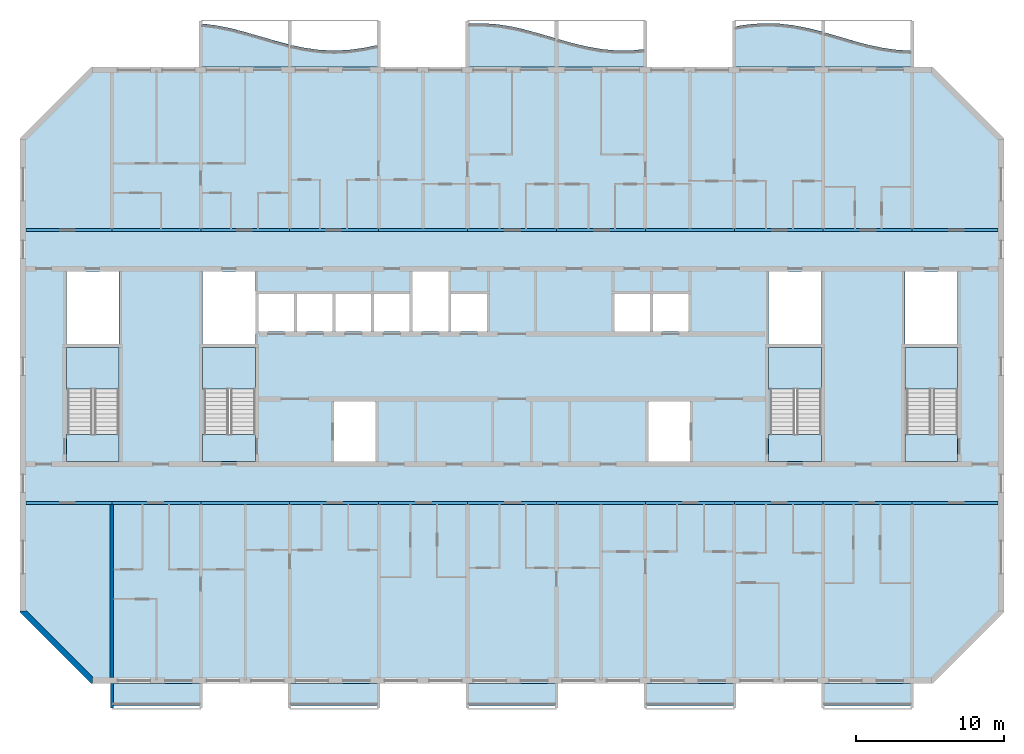
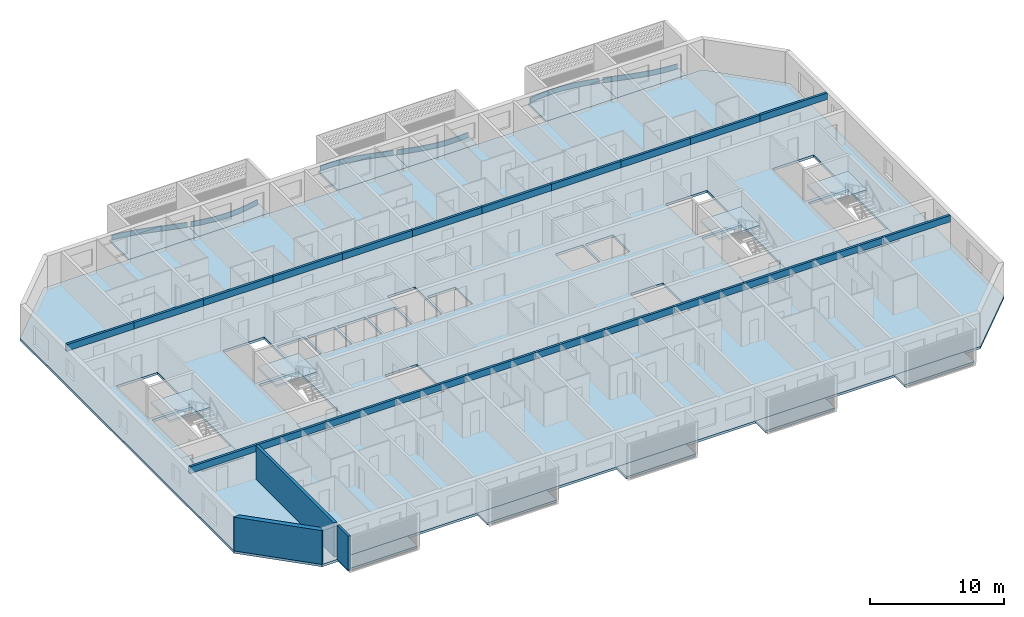
# One storey, part 1 of 27: 22 beams, 20 slabs, 6 plates, 3 walls, 4 elements without a shape of their own.
"""IFC4 building model written with IfcOpenShell, lengths in metres."""

from ifc_helpers import new_model, si_unit, direction, frame, frame_2d, origin, origin_2d, place, context, subcontext, project, spatial, polyline, rectangle, outline, extrude, source, transform, mapped, material, layer, layer_set, material_profile, profile_set, type_object, element, aggregate, save


model = new_model("IFC4")

# Units and contexts
model_context = context("Model", 3, precision=1e-05, world=origin(), true_north=direction((0.0, 1.0)))
body_context = subcontext(model_context, "Body", "Model", "MODEL_VIEW")
ifc_project = project(units=[si_unit("LENGTHUNIT", "METRE"), si_unit("AREAUNIT", "SQUARE_METRE"), si_unit("VOLUMEUNIT", "CUBIC_METRE"), si_unit("PLANEANGLEUNIT", "RADIAN"), si_unit("MASSUNIT", "GRAM", prefix="KILO")], contexts=[model_context])

# Site, building, storey
site_placement = place(None, origin())
site = spatial("IfcSite", under=ifc_project, at=site_placement, CompositionType="ELEMENT")
building_placement = place(site_placement, origin())
building = spatial("IfcBuilding", under=site, at=building_placement, Name="Poui Terraces", CompositionType="ELEMENT")
storey_placement = place(building_placement, frame((0.0, 0.0, 251.10009765625)))
storey = spatial("IfcBuildingStorey", under=building, at=storey_placement, Name="L70", CompositionType="ELEMENT", Elevation=251.10009765625)

# Beams
ifc_material_1 = material(Name="Concrete 50 MPa", Category="concrete")
ifc_material_profile = material_profile(ifc_material_1, rectangle(XDim=0.199951171875, YDim=0.60009765625, at=origin_2d()), Name="RC 200x600")
ifc_profile_set = profile_set([ifc_material_profile], Name="Concrete 50 MPa")
beam_type = type_object("IfcBeamType", Name="COUPLING BEAM 200x600 50MPa", PredefinedType="BEAM", material=ifc_profile_set)
shared_shape_1 = source(origin(), body_context, "Body", "SweptSolid", [
    extrude(rectangle(XDim=0.199951171875, YDim=0.60009765625, at=origin_2d()), origin(), (0.0, 0.0, 1.0), 5.800048828125),
])
for number, where, z_axis, x_axis, name in (
    (1, (18.199951171875, 12.0, 2.77978515625), (1.0, 0.0, 0.0), (0.0, 1.0, 0.0), "COUPLING BEAM LINE B BAY 1"),
    (2, (78.0, 12.0, 2.77978515625), (1.0, 0.0, 0.0), (0.0, 1.0, 0.0), "COUPLING BEAM LINE B BAY 11"),
    (3, (18.199951171875, 30.39990234375, 2.77978515625), (1.0, 0.0, 0.0), (0.0, 1.0, 0.0), "COUPLING BEAM LINE E BAY 1"),
    (4, (78.0, 30.39990234375, 2.77978515625), (1.0, 0.0, 0.0), (0.0, 1.0, 0.0), "COUPLING BEAM LINE E BAY 11"),
):
    element("IfcBeam", number, at=place(storey_placement, frame(where, z_axis=z_axis, x_axis=x_axis)), inside=storey, type_object=beam_type, Name=name, PredefinedType="BEAM", context=body_context, shape_type="MappedRepresentation", body=[
        mapped(shared_shape_1, transform((0.0, 0.0, 0.0))),
    ])
shared_shape_2 = source(origin(), body_context, "Body", "SweptSolid", [
    extrude(rectangle(XDim=0.199951171875, YDim=0.60009765625, at=origin_2d()), origin(), (0.0, 0.0, 1.0), 6.0),
])
for number, where, z_axis, x_axis, name in (
    (5, (24.0, 12.0, 2.77978515625), (1.0, 0.0, 0.0), (0.0, 1.0, 0.0), "COUPLING BEAM LINE B BAY 2"),
    (6, (30.0, 12.0, 2.77978515625), (1.0, 0.0, 0.0), (0.0, 1.0, 0.0), "COUPLING BEAM LINE B BAY 3"),
    (7, (36.0, 12.0, 2.77978515625), (1.0, 0.0, 0.0), (0.0, 1.0, 0.0), "COUPLING BEAM LINE B BAY 4"),
    (8, (42.0, 12.0, 2.77978515625), (1.0, 0.0, 0.0), (0.0, 1.0, 0.0), "COUPLING BEAM LINE B BAY 5"),
    (9, (48.0, 12.0, 2.77978515625), (1.0, 0.0, 0.0), (0.0, 1.0, 0.0), "COUPLING BEAM LINE B BAY 6"),
    (10, (54.0, 12.0, 2.77978515625), (1.0, 0.0, 0.0), (0.0, 1.0, 0.0), "COUPLING BEAM LINE B BAY 7"),
    (11, (60.0, 12.0, 2.77978515625), (1.0, 0.0, 0.0), (0.0, 1.0, 0.0), "COUPLING BEAM LINE B BAY 8"),
    (12, (66.0, 12.0, 2.77978515625), (1.0, 0.0, 0.0), (0.0, 1.0, 0.0), "COUPLING BEAM LINE B BAY 9"),
    (13, (72.0, 12.0, 2.77978515625), (1.0, 0.0, 0.0), (0.0, 1.0, 0.0), "COUPLING BEAM LINE B BAY 10"),
    (14, (24.0, 30.39990234375, 2.77978515625), (1.0, 0.0, 0.0), (0.0, 1.0, 0.0), "COUPLING BEAM LINE E BAY 2"),
    (15, (30.0, 30.39990234375, 2.77978515625), (1.0, 0.0, 0.0), (0.0, 1.0, 0.0), "COUPLING BEAM LINE E BAY 3"),
    (16, (36.0, 30.39990234375, 2.77978515625), (1.0, 0.0, 0.0), (0.0, 1.0, 0.0), "COUPLING BEAM LINE E BAY 4"),
    (17, (42.0, 30.39990234375, 2.77978515625), (1.0, 0.0, 0.0), (0.0, 1.0, 0.0), "COUPLING BEAM LINE E BAY 5"),
    (18, (48.0, 30.39990234375, 2.77978515625), (1.0, 0.0, 0.0), (0.0, 1.0, 0.0), "COUPLING BEAM LINE E BAY 6"),
    (19, (54.0, 30.39990234375, 2.77978515625), (1.0, 0.0, 0.0), (0.0, 1.0, 0.0), "COUPLING BEAM LINE E BAY 7"),
    (20, (60.0, 30.39990234375, 2.77978515625), (1.0, 0.0, 0.0), (0.0, 1.0, 0.0), "COUPLING BEAM LINE E BAY 8"),
    (21, (66.0, 30.39990234375, 2.77978515625), (1.0, 0.0, 0.0), (0.0, 1.0, 0.0), "COUPLING BEAM LINE E BAY 9"),
    (22, (72.0, 30.39990234375, 2.77978515625), (1.0, 0.0, 0.0), (0.0, 1.0, 0.0), "COUPLING BEAM LINE E BAY 10"),
):
    element("IfcBeam", number, at=place(storey_placement, frame(where, z_axis=z_axis, x_axis=x_axis)), inside=storey, type_object=beam_type, Name=name, PredefinedType="BEAM", context=body_context, shape_type="MappedRepresentation", body=[
        mapped(shared_shape_2, transform((0.0, 0.0, 0.0))),
    ])

# Slabs
ifc_material_2 = material(Name="Precast concrete 40 MPa", Category="concrete")
ifc_layer_1 = layer(ifc_material_2, 0.199951171875)
ifc_layer_set_1 = layer_set([ifc_layer_1], Name="Precast concrete 40 MPa")
slab_type_1 = type_object("IfcSlabType", Name="BALCONY SLAB 200", PredefinedType="FLOOR", material=ifc_layer_set_1)
slab_1_placement = place(storey_placement, frame((0.0, 0.0, -0.2001953125)))
element("IfcSlab", 23, at=slab_1_placement, inside=storey, type_object=slab_type_1, Name="BALCONY SLAB", PredefinedType="FLOOR", context=body_context, shape_type="SweptSolid", body=[
    extrude(outline(polyline([(30.0, 41.39990234375), (36.0, 41.39990234375), (36.0, 42.8994140625), (35.0, 43.16748046875), (34.0, 43.462158203125), (33.0, 43.7529296875), (32.0, 44.010009765625), (31.0, 44.206787109375), (30.0, 44.322998046875), (30.0, 41.39990234375)])), origin(), (0.0, 0.0, 1.0), 0.2001953125),
])
slab_2_placement = place(storey_placement, frame((0.0, 0.0, -0.2001953125)))
element("IfcSlab", 24, at=slab_2_placement, inside=storey, type_object=slab_type_1, Name="BALCONY SLAB", PredefinedType="FLOOR", context=body_context, shape_type="SweptSolid", body=[
    extrude(outline(polyline([(36.0, 41.39990234375), (42.0, 41.39990234375), (42.0, 42.8994140625), (41.0, 42.685546875), (40.0, 42.547607421875), (39.0, 42.5), (38.0, 42.547607421875), (37.0, 42.685546875), (36.0, 42.8994140625), (36.0, 41.39990234375)])), origin(), (0.0, 0.0, 1.0), 0.2001953125),
])
slab_3_placement = place(storey_placement, frame((0.0, 0.0, -0.2001953125)))
element("IfcSlab", 25, at=slab_3_placement, inside=storey, type_object=slab_type_1, Name="BALCONY SLAB", PredefinedType="FLOOR", context=body_context, shape_type="SweptSolid", body=[
    extrude(outline(polyline([(48.0, 41.39990234375), (54.0, 41.39990234375), (54.0, 43.3134765625), (53.0, 43.610107421875), (52.0, 43.887451171875), (51.0, 44.117431640625), (50.0, 44.27587890625), (49.0, 44.346923828125), (48.0, 44.322998046875), (48.0, 41.39990234375)])), origin(), (0.0, 0.0, 1.0), 0.2001953125),
])
slab_4_placement = place(storey_placement, frame((0.0, 0.0, -0.2001953125)))
element("IfcSlab", 26, at=slab_4_placement, inside=storey, type_object=slab_type_1, Name="BALCONY SLAB", PredefinedType="FLOOR", context=body_context, shape_type="SweptSolid", body=[
    extrude(outline(polyline([(54.0, 41.39990234375), (60.0, 41.39990234375), (60.0, 42.60595703125), (59.0, 42.511962890625), (58.0, 42.511962890625), (57.0, 42.60595703125), (56.0, 42.7841796875), (55.0, 43.028564453125), (54.0, 43.3134765625), (54.0, 41.39990234375)])), origin(), (0.0, 0.0, 1.0), 0.2001953125),
])
slab_5_placement = place(storey_placement, frame((0.0, 0.0, -0.2001953125)))
element("IfcSlab", 27, at=slab_5_placement, inside=storey, type_object=slab_type_1, Name="BALCONY SLAB", PredefinedType="FLOOR", context=body_context, shape_type="SweptSolid", body=[
    extrude(outline(polyline([(66.0, 41.39990234375), (72.0, 41.39990234375), (72.0, 43.7529296875), (71.0, 44.010009765625), (70.0, 44.206787109375), (69.0, 44.322998046875), (68.0, 44.346923828125), (67.0, 44.27587890625), (66.0, 44.117431640625), (66.0, 41.39990234375)])), origin(), (0.0, 0.0, 1.0), 0.2001953125),
])
slab_6_placement = place(storey_placement, frame((0.0, 0.0, -0.2001953125)))
element("IfcSlab", 28, at=slab_6_placement, inside=storey, type_object=slab_type_1, Name="BALCONY SLAB", PredefinedType="FLOOR", context=body_context, shape_type="SweptSolid", body=[
    extrude(outline(polyline([(72.0, 41.39990234375), (78.0, 41.39990234375), (78.0, 42.5), (77.0, 42.547607421875), (76.0, 42.685546875), (75.0, 42.8994140625), (74.0, 43.16748046875), (73.0, 43.462158203125), (72.0, 43.7529296875), (72.0, 41.39990234375)])), origin(), (0.0, 0.0, 1.0), 0.2001953125),
])

# Stair, slabs
stair_type = type_object("IfcStairType", Name="EXIT STAIR 1650 50 MPA", PredefinedType="HALF_TURN_STAIR", material=ifc_material_1)
stair_1_placement = place(storey_placement, origin())
stair_1 = element("IfcStair", 29, at=stair_1_placement, inside=storey, type_object=stair_type, Name="L70 CORE STAIR EAST", PredefinedType="HALF_TURN_STAIR")
ifc_layer_2 = layer(ifc_material_1, 0.199951171875)
ifc_layer_set_2 = layer_set([ifc_layer_2], Name="Concrete 50 MPa")
slab_type_2 = type_object("IfcSlabType", Name="STAIR LANDING 200 50 MPA", PredefinedType="LANDING", material=ifc_layer_set_2)
slab_7_placement = place(storey_placement, frame((0.0, 0.0, 1.44970703125)))
slab_7 = element("IfcSlab", 30, at=slab_7_placement, type_object=slab_type_2, Name="ST-CE landing 1", PredefinedType="LANDING", context=body_context, shape_type="SweptSolid", body=[
    extrude(outline(polyline([(68.324951171875, 19.679931640625), (71.875, 19.679931640625), (71.875, 22.47509765625), (68.324951171875, 22.47509765625), (68.324951171875, 19.679931640625)])), origin(), (0.0, 0.0, 1.0), 0.2001953125),
])
slab_8_placement = place(storey_placement, frame((0.0, 0.0, -0.2001953125)))
slab_8 = element("IfcSlab", 31, at=slab_8_placement, type_object=slab_type_2, Name="ST-CE landing 2", PredefinedType="LANDING", context=body_context, shape_type="SweptSolid", body=[
    extrude(outline(polyline([(68.324951171875, 14.77490234375), (71.875, 14.77490234375), (71.875, 16.60009765625), (68.324951171875, 16.60009765625), (68.324951171875, 14.77490234375)])), origin(), (0.0, 0.0, 1.0), 0.2001953125),
])
aggregate(stair_1, [slab_7, slab_8])

stair_2_placement = place(storey_placement, origin())
stair_2 = element("IfcStair", 32, at=stair_2_placement, inside=storey, type_object=stair_type, Name="L70 CORE STAIR WEST", PredefinedType="HALF_TURN_STAIR")
slab_9_placement = place(storey_placement, frame((0.0, 0.0, 1.44970703125)))
slab_9 = element("IfcSlab", 33, at=slab_9_placement, type_object=slab_type_2, Name="ST-CW landing 1", PredefinedType="LANDING", context=body_context, shape_type="SweptSolid", body=[
    extrude(outline(polyline([(30.125, 19.679931640625), (33.675048828125, 19.679931640625), (33.675048828125, 22.47509765625), (30.125, 22.47509765625), (30.125, 19.679931640625)])), origin(), (0.0, 0.0, 1.0), 0.2001953125),
])
slab_10_placement = place(storey_placement, frame((0.0, 0.0, -0.2001953125)))
slab_10 = element("IfcSlab", 34, at=slab_10_placement, type_object=slab_type_2, Name="ST-CW landing 2", PredefinedType="LANDING", context=body_context, shape_type="SweptSolid", body=[
    extrude(outline(polyline([(30.125, 14.77490234375), (33.675048828125, 14.77490234375), (33.675048828125, 16.60009765625), (30.125, 16.60009765625), (30.125, 14.77490234375)])), origin(), (0.0, 0.0, 1.0), 0.2001953125),
])
aggregate(stair_2, [slab_9, slab_10])

stair_3_placement = place(storey_placement, origin())
stair_3 = element("IfcStair", 35, at=stair_3_placement, inside=storey, type_object=stair_type, Name="L70 TIP STAIR EAST", PredefinedType="HALF_TURN_STAIR")
slab_11_placement = place(storey_placement, frame((0.0, 0.0, 1.44970703125)))
slab_11 = element("IfcSlab", 36, at=slab_11_placement, type_object=slab_type_2, Name="ST-E landing 1", PredefinedType="LANDING", context=body_context, shape_type="SweptSolid", body=[
    extrude(outline(polyline([(77.52490234375, 19.679931640625), (81.074951171875, 19.679931640625), (81.074951171875, 22.47509765625), (77.52490234375, 22.47509765625), (77.52490234375, 19.679931640625)])), origin(), (0.0, 0.0, 1.0), 0.2001953125),
])
slab_12_placement = place(storey_placement, frame((0.0, 0.0, -0.2001953125)))
slab_12 = element("IfcSlab", 37, at=slab_12_placement, type_object=slab_type_2, Name="ST-E landing 2", PredefinedType="LANDING", context=body_context, shape_type="SweptSolid", body=[
    extrude(outline(polyline([(77.52490234375, 14.77490234375), (81.074951171875, 14.77490234375), (81.074951171875, 16.60009765625), (77.52490234375, 16.60009765625), (77.52490234375, 14.77490234375)])), origin(), (0.0, 0.0, 1.0), 0.2001953125),
])
aggregate(stair_3, [slab_11, slab_12])

stair_4_placement = place(storey_placement, origin())
stair_4 = element("IfcStair", 38, at=stair_4_placement, inside=storey, type_object=stair_type, Name="L70 TIP STAIR WEST", PredefinedType="HALF_TURN_STAIR")
slab_13_placement = place(storey_placement, frame((0.0, 0.0, 1.44970703125)))
slab_13 = element("IfcSlab", 39, at=slab_13_placement, type_object=slab_type_2, Name="ST-W landing 1", PredefinedType="LANDING", context=body_context, shape_type="SweptSolid", body=[
    extrude(outline(polyline([(20.925048828125, 19.679931640625), (24.47509765625, 19.679931640625), (24.47509765625, 22.47509765625), (20.925048828125, 22.47509765625), (20.925048828125, 19.679931640625)])), origin(), (0.0, 0.0, 1.0), 0.2001953125),
])
slab_14_placement = place(storey_placement, frame((0.0, 0.0, -0.2001953125)))
slab_14 = element("IfcSlab", 40, at=slab_14_placement, type_object=slab_type_2, Name="ST-W landing 2", PredefinedType="LANDING", context=body_context, shape_type="SweptSolid", body=[
    extrude(outline(polyline([(20.925048828125, 14.77490234375), (24.47509765625, 14.77490234375), (24.47509765625, 16.60009765625), (20.925048828125, 16.60009765625), (20.925048828125, 14.77490234375)])), origin(), (0.0, 0.0, 1.0), 0.2001953125),
])
aggregate(stair_4, [slab_13, slab_14])

# Plates
ifc_layer_3 = layer(ifc_material_2, 0.080078125)
ifc_layer_set_3 = layer_set([ifc_layer_3], Name="Precast concrete 40 MPa")
plate_type = type_object("IfcPlateType", Name="SUNSHADE UPSTAND 80", PredefinedType="SHEET", material=ifc_layer_set_3)
plate_1_placement = place(storey_placement, origin())
element("IfcPlate", 41, at=plate_1_placement, inside=storey, type_object=plate_type, Name="SUNSHADE UPSTAND", PredefinedType="SHEET", context=body_context, shape_type="SweptSolid", body=[
    extrude(outline(polyline([(31.00634765625, 44.201416015625), (30.15966796875, 44.304443359375), (30.1298828125, 44.30810546875), (30.1201171875, 44.228759765625), (30.99365234375, 44.122314453125), (31.9912109375, 43.926025390625), (32.989501953125, 43.66943359375), (33.98876953125, 43.37890625), (34.989013671875, 43.084228515625), (35.864501953125, 42.846923828125), (35.885498046875, 42.92431640625), (35.010986328125, 43.1611328125), (34.01123046875, 43.45556640625), (33.010498046875, 43.74658203125), (32.0087890625, 44.00390625), (31.00634765625, 44.201416015625)])), origin(), (0.0, 0.0, 1.0), 0.449951171875),
])
plate_2_placement = place(storey_placement, origin())
element("IfcPlate", 42, at=plate_2_placement, inside=storey, type_object=plate_type, Name="SUNSHADE UPSTAND", PredefinedType="SHEET", context=body_context, shape_type="SweptSolid", body=[
    extrude(outline(polyline([(37.0068359375, 42.679931640625), (36.13330078125, 42.863525390625), (36.11669921875, 42.78515625), (36.9931640625, 42.60107421875), (37.996337890625, 42.462646484375), (39.0, 42.4150390625), (40.003662109375, 42.462646484375), (41.0068359375, 42.60107421875), (41.88330078125, 42.78515625), (41.86669921875, 42.863525390625), (40.9931640625, 42.679931640625), (39.996337890625, 42.54248046875), (39.0, 42.4951171875), (38.003662109375, 42.54248046875), (37.0068359375, 42.679931640625)])), origin(), (0.0, 0.0, 1.0), 0.449951171875),
])
plate_3_placement = place(storey_placement, origin())
element("IfcPlate", 43, at=plate_3_placement, inside=storey, type_object=plate_type, Name="SUNSHADE UPSTAND", PredefinedType="SHEET", context=body_context, shape_type="SweptSolid", body=[
    extrude(outline(polyline([(49.001220703125, 44.342041015625), (48.159912109375, 44.326904296875), (48.124267578125, 44.326171875), (48.125732421875, 44.246337890625), (48.998779296875, 44.261962890625), (49.995361328125, 44.191162109375), (50.992431640625, 44.033203125), (51.990234375, 43.8037109375), (52.989013671875, 43.526611328125), (53.863525390625, 43.26708984375), (53.886474609375, 43.343994140625), (53.010986328125, 43.603515625), (52.009765625, 43.88134765625), (51.007568359375, 44.11181640625), (50.004638671875, 44.270751953125), (49.001220703125, 44.342041015625)])), origin(), (0.0, 0.0, 1.0), 0.449951171875),
])
plate_4_placement = place(storey_placement, origin())
element("IfcPlate", 44, at=plate_4_placement, inside=storey, type_object=plate_type, Name="SUNSHADE UPSTAND", PredefinedType="SHEET", context=body_context, shape_type="SweptSolid", body=[
    extrude(outline(polyline([(55.01025390625, 43.022216796875), (54.135986328125, 43.27001953125), (54.114013671875, 43.193115234375), (54.98974609375, 42.94482421875), (55.99169921875, 42.7001953125), (56.99462890625, 42.521240234375), (57.998046875, 42.427001953125), (59.001708984375, 42.427001953125), (59.87841796875, 42.50439453125), (59.87158203125, 42.584228515625), (58.998291015625, 42.507080078125), (58.001953125, 42.507080078125), (57.00537109375, 42.6005859375), (56.00830078125, 42.7783203125), (55.01025390625, 43.022216796875)])), origin(), (0.0, 0.0, 1.0), 0.449951171875),
])
plate_5_placement = place(storey_placement, origin())
element("IfcPlate", 45, at=plate_5_placement, inside=storey, type_object=plate_type, Name="SUNSHADE UPSTAND", PredefinedType="SHEET", context=body_context, shape_type="SweptSolid", body=[
    extrude(outline(polyline([(66.99560546875, 44.270751953125), (66.118896484375, 44.135986328125), (66.131103515625, 44.056884765625), (67.00439453125, 44.191162109375), (68.0009765625, 44.261962890625), (68.997314453125, 44.23828125), (69.993896484375, 44.122314453125), (70.9912109375, 43.926025390625), (71.864990234375, 43.703857421875), (71.885009765625, 43.78125), (71.0087890625, 44.00390625), (70.006103515625, 44.201416015625), (69.002685546875, 44.318115234375), (67.9990234375, 44.342041015625), (66.99560546875, 44.270751953125)])), origin(), (0.0, 0.0, 1.0), 0.449951171875),
])
plate_6_placement = place(storey_placement, origin())
element("IfcPlate", 46, at=plate_6_placement, inside=storey, type_object=plate_type, Name="SUNSHADE UPSTAND", PredefinedType="SHEET", context=body_context, shape_type="SweptSolid", body=[
    extrude(outline(polyline([(73.01123046875, 43.45556640625), (72.13623046875, 43.711181640625), (72.11376953125, 43.634521484375), (72.98876953125, 43.37890625), (73.9892578125, 43.083984375), (74.990478515625, 42.815673828125), (75.9931640625, 42.60107421875), (76.99609375, 42.462890625), (77.872802734375, 42.415771484375), (77.877197265625, 42.49560546875), (77.00390625, 42.54248046875), (76.0068359375, 42.679931640625), (75.009521484375, 42.893310546875), (74.0107421875, 43.1611328125), (73.01123046875, 43.45556640625)])), origin(), (0.0, 0.0, 1.0), 0.449951171875),
])

# Slabs
ifc_material_3 = material(Name="Concrete 40 MPa", Category="concrete")
ifc_layer_4 = layer(ifc_material_3, 0.219970703125)
ifc_layer_set_4 = layer_set([ifc_layer_4], Name="Concrete 40 MPa")
slab_type_3 = type_object("IfcSlabType", Name="FLOOR SLAB 220", PredefinedType="FLOOR", material=ifc_layer_set_4)
shared_shape_3 = source(origin(), body_context, "Body", "SweptSolid", [
    extrude(outline(polyline([(0.0, 0.0), (4.800048828125, -4.800048828125), (61.599853515625, -4.800048828125), (66.39990234375, 0.0), (66.39990234375, 32.0), (61.599853515625, 36.7998046875), (4.800048828125, 36.7998046875), (0.0, 32.0), (0.0, 0.0)]), holes=[polyline([(21.199951171875, 10.1748046875), (21.199951171875, 14.224853515625), (24.0, 14.224853515625), (24.0, 10.1748046875), (21.199951171875, 10.1748046875)]), polyline([(3.224853515625, 17.849853515625), (6.675048828125, 17.849853515625), (6.675048828125, 12.0), (6.675048828125, 10.1748046875), (3.125, 10.1748046875), (3.125, 12.0), (3.224853515625, 12.0), (3.224853515625, 17.849853515625)]), polyline([(12.425048828125, 17.849853515625), (15.875, 17.849853515625), (15.875, 12.0), (15.875, 10.1748046875), (12.324951171875, 10.1748046875), (12.324951171875, 12.0), (12.425048828125, 12.0), (12.425048828125, 17.849853515625)]), polyline([(16.099853515625, 18.974853515625), (16.099853515625, 21.5), (18.5, 21.5), (18.5, 18.974853515625), (16.099853515625, 18.974853515625)]), polyline([(18.699951171875, 18.974853515625), (18.699951171875, 21.5), (21.099853515625, 21.5), (21.099853515625, 18.974853515625), (18.699951171875, 18.974853515625)]), polyline([(21.300048828125, 18.974853515625), (21.300048828125, 21.5), (23.699951171875, 21.5), (23.699951171875, 18.974853515625), (21.300048828125, 18.974853515625)]), polyline([(23.89990234375, 18.974853515625), (23.89990234375, 21.5), (26.300048828125, 21.5), (26.300048828125, 18.974853515625), (23.89990234375, 18.974853515625)]), polyline([(3.125, 23.02490234375), (6.675048828125, 23.02490234375), (6.675048828125, 18.125), (3.125, 18.125), (3.125, 23.02490234375)]), polyline([(12.324951171875, 23.02490234375), (15.875, 23.02490234375), (15.875, 18.125), (12.324951171875, 18.125), (12.324951171875, 23.02490234375)]), polyline([(42.39990234375, 10.1748046875), (42.39990234375, 14.224853515625), (45.199951171875, 14.224853515625), (45.199951171875, 10.1748046875), (42.39990234375, 10.1748046875)]), polyline([(50.625, 17.849853515625), (54.074951171875, 17.849853515625), (54.074951171875, 12.0), (54.074951171875, 10.1748046875), (50.52490234375, 10.1748046875), (50.52490234375, 12.0), (50.625, 12.0), (50.625, 17.849853515625)]), polyline([(59.824951171875, 17.849853515625), (63.27490234375, 17.849853515625), (63.27490234375, 12.0), (63.27490234375, 10.1748046875), (59.724853515625, 10.1748046875), (59.724853515625, 12.0), (59.824951171875, 12.0), (59.824951171875, 17.849853515625)]), polyline([(29.099853515625, 18.974853515625), (29.099853515625, 21.5), (31.5, 21.5), (31.5, 18.974853515625), (29.099853515625, 18.974853515625)]), polyline([(40.099853515625, 18.974853515625), (40.099853515625, 21.5), (42.5, 21.5), (42.5, 18.974853515625), (40.099853515625, 18.974853515625)]), polyline([(42.699951171875, 18.974853515625), (42.699951171875, 21.5), (45.099853515625, 21.5), (45.099853515625, 18.974853515625), (42.699951171875, 18.974853515625)]), polyline([(50.52490234375, 18.125), (50.52490234375, 23.02490234375), (54.074951171875, 23.02490234375), (54.074951171875, 18.125), (50.52490234375, 18.125)]), polyline([(59.724853515625, 23.02490234375), (63.27490234375, 23.02490234375), (63.27490234375, 18.125), (59.724853515625, 18.125), (59.724853515625, 23.02490234375)]), polyline([(26.5, 23.02490234375), (28.89990234375, 23.02490234375), (28.89990234375, 18.974853515625), (26.5, 18.974853515625), (26.5, 23.02490234375)])]), origin(), (0.0, 0.0, 1.0), 0.22021484375),
])
slab_15_placement = place(storey_placement, frame((17.800048828125, 4.60009765625, -0.22021484375)))
element("IfcSlab", 47, at=slab_15_placement, inside=storey, type_object=slab_type_3, Name="FLOOR SLAB", PredefinedType="FLOOR", context=body_context, shape_type="MappedRepresentation", body=[
    mapped(shared_shape_3, transform((0.0, 0.0, 0.0))),
])
ifc_layer_5 = layer(ifc_material_2, 0.199951171875)
ifc_layer_set_5 = layer_set([ifc_layer_5], Name="Precast concrete 40 MPa")
slab_type_4 = type_object("IfcSlabType", Name="REAR BALCONY SLAB 200", PredefinedType="FLOOR", material=ifc_layer_set_5)
shared_shape_4 = source(origin(), body_context, "Body", "SweptSolid", [
    extrude(outline(polyline([(0.0, 0.0), (6.0, 0.0), (6.0, 1.5), (0.0, 1.5), (0.0, 0.0)])), origin(), (0.0, 0.0, 1.0), 0.2001953125),
])
for number, where, name in (
    (48, (24.0, -1.699951171875, -0.2001953125), "REAR BALCONY SLAB"),
    (49, (36.0, -1.699951171875, -0.2001953125), "REAR BALCONY SLAB"),
    (50, (48.0, -1.699951171875, -0.2001953125), "REAR BALCONY SLAB"),
    (51, (60.0, -1.699951171875, -0.2001953125), "REAR BALCONY SLAB"),
    (52, (72.0, -1.699951171875, -0.2001953125), "REAR BALCONY SLAB"),
):
    element("IfcSlab", number, at=place(storey_placement, frame(where)), inside=storey, type_object=slab_type_4, Name=name, PredefinedType="FLOOR", context=body_context, shape_type="MappedRepresentation", body=[
        mapped(shared_shape_4, transform((0.0, 0.0, 0.0))),
    ])

# Walls
ifc_layer_6 = layer(ifc_material_1, 0.25)
ifc_layer_set_6 = layer_set([ifc_layer_6], Name="Concrete 50 MPa")
wall_type_1 = type_object("IfcWallType", Name="CROSS WALL 250 50MPa", PredefinedType="SHEAR", material=ifc_layer_set_6)
wall_1_placement = place(storey_placement, frame((24.0, 0.199951171875, 0.0), z_axis=(0.0, 0.0, 1.0), x_axis=(0.0, 1.0, 0.0)))
element("IfcWall", 53, at=wall_1_placement, inside=storey, type_object=wall_type_1, Name="CROSS WALL LINE 5 SOUTH", PredefinedType="SHEAR", context=body_context, shape_type="SweptSolid", body=[
    extrude(rectangle(XDim=11.699951171875, YDim=0.25, at=frame_2d((5.85009765625, 0.0))), origin(), (0.0, 0.0, 1.0), 3.079833984375),
])
ifc_layer_7 = layer(ifc_material_2, 0.39990234375)
ifc_layer_set_7 = layer_set([ifc_layer_7], Name="Precast concrete 40 MPa")
wall_type_2 = type_object("IfcWallType", Name="TERRACOTTA CLAD CHAMFER WALL 400", PredefinedType="STANDARD", material=ifc_layer_set_7)
wall_2_placement = place(storey_placement, origin())
element("IfcWall", 54, at=wall_2_placement, inside=storey, type_object=wall_type_2, Name="CHAMFER WALL CH07", PredefinedType="STANDARD", context=body_context, shape_type="SweptSolid", body=[
    extrude(outline(polyline([(17.800048828125, 4.682861328125), (17.800048828125, 4.60009765625), (22.60009765625, -0.199951171875), (22.682861328125, -0.199951171875), (22.682861328125, 0.28271484375), (18.28271484375, 4.682861328125), (17.800048828125, 4.682861328125)])), origin(), (0.0, 0.0, 1.0), 3.079833984375),
])
ifc_layer_8 = layer(ifc_material_2, 0.199951171875)
ifc_layer_set_8 = layer_set([ifc_layer_8], Name="Precast concrete 40 MPa")
wall_type_3 = type_object("IfcWallType", Name="REAR FIN 200", PredefinedType="STANDARD", material=ifc_layer_set_8)
shared_shape_5 = source(origin(), body_context, "Body", "SweptSolid", [
    extrude(outline(polyline([(0.0, 0.0), (0.2001953125, 0.0), (0.2001953125, 1.650146484375), (0.0, 1.650146484375), (0.0, 0.0)])), origin(), (0.0, 0.0, 1.0), 3.099853515625),
])
wall_3_placement = place(storey_placement, frame((23.89990234375, -1.85009765625, 0.0)))
element("IfcWall", 55, at=wall_3_placement, inside=storey, type_object=wall_type_3, Name="REAR FIN", PredefinedType="STANDARD", context=body_context, shape_type="MappedRepresentation", body=[
    mapped(shared_shape_5, transform((0.0, 0.0, 0.0))),
])

save(model, "model.ifc")
